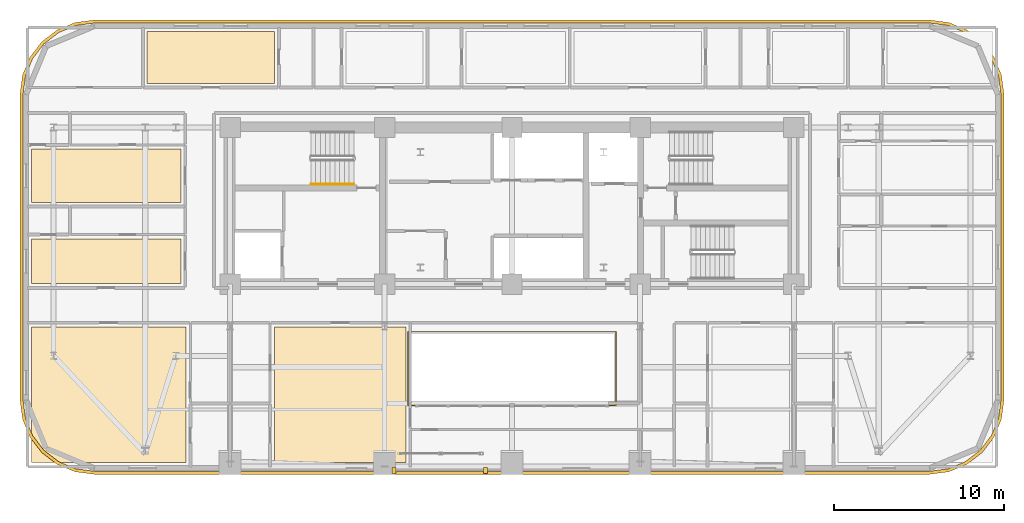
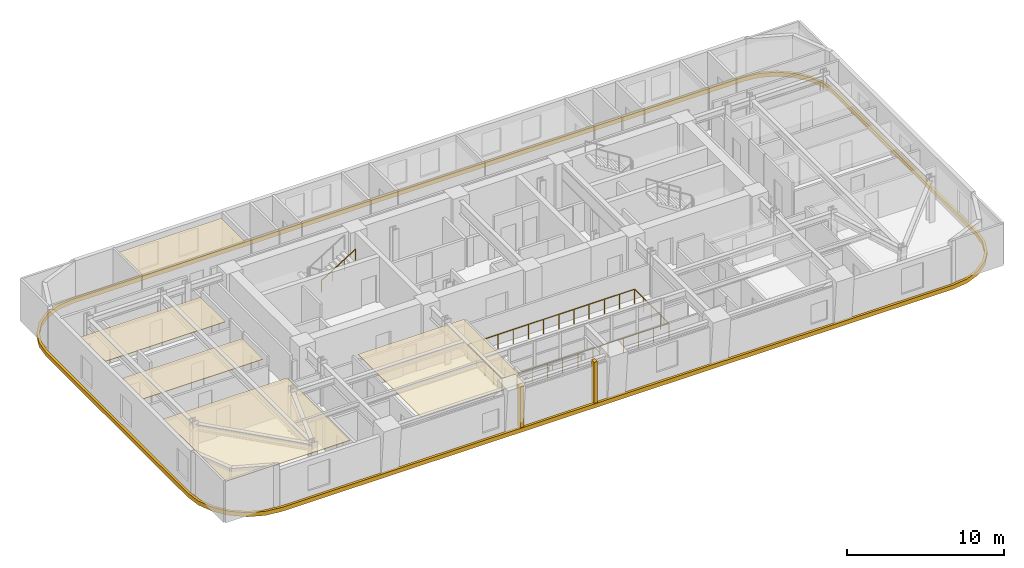
# One storey, part 14 of 16: 8 coverings, 2 railings.
"""IFC4 building model written with IfcOpenShell, lengths in metres."""

from ifc_helpers import new_model, si_unit, direction, frame, origin, origin_2d, place, context, subcontext, project, spatial, polyline, rectangle, outline, extrude, material, layer, layer_set, type_object, element, save


model = new_model("IFC4")

# Units and contexts
model_context = context("Model", 3, precision=1e-05, world=origin(), true_north=direction((0.0, 1.0)))
body_context = subcontext(model_context, "Body", "Model", "MODEL_VIEW")
ifc_project = project(units=[si_unit("LENGTHUNIT", "METRE"), si_unit("AREAUNIT", "SQUARE_METRE"), si_unit("VOLUMEUNIT", "CUBIC_METRE"), si_unit("PLANEANGLEUNIT", "RADIAN"), si_unit("MASSUNIT", "GRAM", prefix="KILO")], contexts=[model_context])

# Site, building, storey
site_placement = place(None, origin())
site = spatial("IfcSite", under=ifc_project, at=site_placement, CompositionType="ELEMENT")
building_placement = place(site_placement, origin())
building = spatial("IfcBuilding", under=site, at=building_placement, Name="Zarnavel Station Tower", CompositionType="ELEMENT")
storey_placement = place(building_placement, frame((0.0, 0.0, 97.800048828125)))
storey = spatial("IfcBuildingStorey", under=building, at=storey_placement, Name="L26", CompositionType="ELEMENT", Elevation=97.800048828125)

# Coverings
ifc_material_1 = material(Name="Perforated Gypsum and Mineral-Wool Acoustic Ceiling", Category="concrete")
ifc_layer = layer(ifc_material_1, 0.0400390625)
ifc_layer_set = layer_set([ifc_layer], Name="COV_CEIL_ACOUSTIC")
covering_type_1 = type_object("IfcCoveringType", Name="COV_CEIL_ACOUSTIC", PredefinedType="CEILING", material=ifc_layer_set)
covering_1_placement = place(storey_placement, frame((0.0, 0.0, 2.919921875)))
element("IfcCovering", 1, at=covering_1_placement, inside=storey, type_object=covering_type_1, Name="L26 FNW1R Acoustic Ceiling", PredefinedType="CEILING", context=body_context, shape_type="SweptSolid", body=[
    extrude(outline(polyline([(0.510009765625, 27.85009765625), (9.300048828125, 27.85009765625), (9.300048828125, 30.490966796875), (0.510009765625, 30.490966796875), (0.510009765625, 27.85009765625)])), origin(), (0.0, 0.0, 1.0), 0.0400390625),
])
covering_2_placement = place(storey_placement, frame((0.0, 0.0, 2.919921875)))
element("IfcCovering", 2, at=covering_2_placement, inside=storey, type_object=covering_type_1, Name="L26 FNW2R Acoustic Ceiling", PredefinedType="CEILING", context=body_context, shape_type="SweptSolid", body=[
    extrude(outline(polyline([(0.510009765625, 32.64111328125), (9.300048828125, 32.64111328125), (9.300048828125, 35.777099609375), (0.510009765625, 35.777099609375), (0.510009765625, 32.64111328125)])), origin(), (0.0, 0.0, 1.0), 0.0400390625),
])
covering_3_placement = place(storey_placement, frame((0.0, 0.0, 2.919921875)))
element("IfcCovering", 3, at=covering_3_placement, inside=storey, type_object=covering_type_1, Name="L26 HN1R Acoustic Ceiling", PredefinedType="CEILING", context=body_context, shape_type="SweptSolid", body=[
    extrude(outline(polyline([(7.31005859375, 39.64990234375), (14.81591796875, 39.64990234375), (14.81591796875, 42.68994140625), (7.31005859375, 42.68994140625), (7.31005859375, 39.64990234375)])), origin(), (0.0, 0.0, 1.0), 0.0400390625),
])
covering_4_placement = place(storey_placement, frame((0.0, 0.0, 2.919921875)))
element("IfcCovering", 4, at=covering_4_placement, inside=storey, type_object=covering_type_1, Name="L26 HW1R Acoustic Ceiling", PredefinedType="CEILING", context=body_context, shape_type="SweptSolid", body=[
    extrude(outline(polyline([(0.510009765625, 17.31005859375), (9.60009765625, 17.31005859375), (9.60009765625, 25.300048828125), (0.510009765625, 25.300048828125), (0.510009765625, 17.31005859375)])), origin(), (0.0, 0.0, 1.0), 0.0400390625),
])
covering_5_placement = place(storey_placement, frame((0.0, 0.0, 2.919921875)))
element("IfcCovering", 5, at=covering_5_placement, inside=storey, type_object=covering_type_1, Name="L26 HW2R Acoustic Ceiling", PredefinedType="CEILING", context=body_context, shape_type="SweptSolid", body=[
    extrude(outline(polyline([(14.800048828125, 17.31005859375), (22.550048828125, 17.31005859375), (22.550048828125, 25.300048828125), (14.800048828125, 25.300048828125), (14.800048828125, 17.31005859375)])), origin(), (0.0, 0.0, 1.0), 0.0400390625),
])
ifc_material_2 = material(Name="Precast concrete C45/55 (Pale Travertine Slab Band)", Category="masonry")
covering_type_2 = type_object("IfcCoveringType", Name="COV_TRAVERTINE_BAND", PredefinedType="CLADDING", material=ifc_material_2)
covering_6_placement = place(storey_placement, frame((0.0, 0.0, -0.260009765625)))
element("IfcCovering", 6, at=covering_6_placement, inside=storey, type_object=covering_type_2, Name="L26 Pale Travertine Slab-Edge Band", PredefinedType="CLADDING", context=body_context, shape_type="SweptSolid", body=[
    extrude(outline(polyline([(53.39990234375, 16.6201171875), (54.53369140625, 16.769287109375), (55.590087890625, 17.206787109375), (56.4970703125, 17.90283203125), (57.193115234375, 18.81005859375), (57.630859375, 19.866455078125), (57.780029296875, 21.0), (57.780029296875, 39.0), (57.630859375, 40.133544921875), (57.193115234375, 41.18994140625), (56.4970703125, 42.09716796875), (55.590087890625, 42.793212890625), (54.53369140625, 43.230712890625), (53.39990234375, 43.3798828125), (4.199951171875, 43.3798828125), (3.06640625, 43.230712890625), (2.010009765625, 42.793212890625), (1.102783203125, 42.09716796875), (0.40673828125, 41.18994140625), (-0.03076171875, 40.133544921875), (-0.179931640625, 39.0), (-0.179931640625, 21.0), (-0.03076171875, 19.866455078125), (0.40673828125, 18.81005859375), (1.102783203125, 17.90283203125), (2.010009765625, 17.206787109375), (3.06640625, 16.769287109375), (4.199951171875, 16.6201171875), (53.39990234375, 16.6201171875)]), holes=[polyline([(53.39990234375, 16.800048828125), (54.487060546875, 16.943115234375), (55.5, 17.36279296875), (56.369873046875, 18.0302734375), (57.037353515625, 18.89990234375), (57.456787109375, 19.9130859375), (57.60009765625, 21.0), (57.60009765625, 39.0), (57.456787109375, 40.0869140625), (57.037353515625, 41.10009765625), (56.369873046875, 41.9697265625), (55.5, 42.63720703125), (54.487060546875, 43.056884765625), (53.39990234375, 43.199951171875), (4.199951171875, 43.199951171875), (3.113037109375, 43.056884765625), (2.10009765625, 42.63720703125), (1.230224609375, 41.9697265625), (0.562744140625, 41.10009765625), (0.14306640625, 40.0869140625), (0.0, 39.0), (0.0, 21.0), (0.14306640625, 19.9130859375), (0.562744140625, 18.89990234375), (1.230224609375, 18.0302734375), (2.10009765625, 17.36279296875), (3.113037109375, 16.943115234375), (4.199951171875, 16.800048828125), (53.39990234375, 16.800048828125)])]), origin(), (0.0, 0.0, 1.0), 0.320068359375),
])
for number, where, z_axis, x_axis, name in (
    (7, (21.85009765625, 16.85009765625, 0.0), (0.0, 0.0, 1.0), (1.0, 0.0, 0.0), "L26 Travertine Portal Loggia Vertical Jog West"),
    (8, (27.25, 16.85009765625, 0.0), (0.0, 0.0, 1.0), (1.0, 0.0, 0.0), "L26 Travertine Portal Loggia Vertical Jog East"),
):
    element("IfcCovering", number, at=place(storey_placement, frame(where, z_axis=z_axis, x_axis=x_axis)), inside=storey, type_object=covering_type_2, Name=name, PredefinedType="CLADDING", context=body_context, shape_type="SweptSolid", body=[
        extrude(rectangle(XDim=0.239990234375, YDim=0.360107421875, at=origin_2d()), origin(), (0.0, 0.0, 1.0), 3.239990234375),
    ])

# Railings
ifc_material_3 = material(Name="Painted Steel S355J2 Balustrade", Category="steel")
railing_type_1 = type_object("IfcRailingType", Name="GR_INT_1150", PredefinedType="GUARDRAIL", material=ifc_material_3)
railing_1_placement = place(storey_placement, frame((22.679931640625, 20.679931640625, 0.0)))
element("IfcRailing", 9, at=railing_1_placement, inside=storey, type_object=railing_type_1, Name="L26 Atrium Void Guardrail", PredefinedType="GUARDRAIL", context=body_context, shape_type="SweptSolid", body=[
    extrude(rectangle(XDim=0.048095703125, YDim=0.048095703125, at=origin_2d()), frame((0.001953125, 0.0, 1.1259765625), z_axis=(1.0, 0.0, 0.0), x_axis=(0.0, 1.0, 0.0)), (0.0, 0.0, 1.0), 12.236083984375),
    extrude(rectangle(XDim=0.048095703125, YDim=0.048095703125, at=origin_2d()), frame((12.239990234375, 0.001953125, 1.1259765625), z_axis=(0.0, 1.0, 0.0), x_axis=(-1.0, 0.0, 0.0)), (0.0, 0.0, 1.0), 4.336181640625),
    extrude(rectangle(XDim=0.048095703125, YDim=0.048095703125, at=origin_2d()), frame((12.238037109375, 4.340087890625, 1.1259765625), z_axis=(-1.0, 0.0, 0.0), x_axis=(0.0, -1.0, 0.0)), (0.0, 0.0, 1.0), 12.236083984375),
    extrude(rectangle(XDim=0.048095703125, YDim=0.048095703125, at=origin_2d()), frame((0.0, 4.338134765625, 1.1259765625), z_axis=(0.0, -1.0, 0.0), x_axis=(1.0, 0.0, 0.0)), (0.0, 0.0, 1.0), 4.336181640625),
    extrude(rectangle(XDim=0.0419921875, YDim=0.0419921875, at=origin_2d()), origin(), (0.0, 0.0, 1.0), 1.101806640625),
    extrude(rectangle(XDim=0.0419921875, YDim=0.0419921875, at=origin_2d()), frame((1.11279296875, 0.0, 0.0)), (0.0, 0.0, 1.0), 1.101806640625),
    extrude(rectangle(XDim=0.0419921875, YDim=0.0419921875, at=origin_2d()), frame((2.225341796875, 0.0, 0.0)), (0.0, 0.0, 1.0), 1.101806640625),
    extrude(rectangle(XDim=0.0419921875, YDim=0.0419921875, at=origin_2d()), frame((3.338134765625, 0.0, 0.0)), (0.0, 0.0, 1.0), 1.101806640625),
    extrude(rectangle(XDim=0.0419921875, YDim=0.0419921875, at=origin_2d()), frame((4.450927734375, 0.0, 0.0)), (0.0, 0.0, 1.0), 1.101806640625),
    extrude(rectangle(XDim=0.0419921875, YDim=0.0419921875, at=origin_2d()), frame((5.563720703125, 0.0, 0.0)), (0.0, 0.0, 1.0), 1.101806640625),
    extrude(rectangle(XDim=0.0419921875, YDim=0.0419921875, at=origin_2d()), frame((6.67626953125, 0.0, 0.0)), (0.0, 0.0, 1.0), 1.101806640625),
    extrude(rectangle(XDim=0.0419921875, YDim=0.0419921875, at=origin_2d()), frame((7.7890625, 0.0, 0.0)), (0.0, 0.0, 1.0), 1.101806640625),
    extrude(rectangle(XDim=0.0419921875, YDim=0.0419921875, at=origin_2d()), frame((8.90185546875, 0.0, 0.0)), (0.0, 0.0, 1.0), 1.101806640625),
    extrude(rectangle(XDim=0.0419921875, YDim=0.0419921875, at=origin_2d()), frame((10.0146484375, 0.0, 0.0)), (0.0, 0.0, 1.0), 1.101806640625),
    extrude(rectangle(XDim=0.0419921875, YDim=0.0419921875, at=origin_2d()), frame((11.127197265625, 0.0, 0.0)), (0.0, 0.0, 1.0), 1.101806640625),
    extrude(rectangle(XDim=0.0419921875, YDim=0.0419921875, at=origin_2d()), frame((12.239990234375, 0.0, 0.0)), (0.0, 0.0, 1.0), 1.101806640625),
    extrude(rectangle(XDim=0.0419921875, YDim=0.0419921875, at=origin_2d()), frame((12.239990234375, 1.0849609375, 0.0)), (0.0, 0.0, 1.0), 1.101806640625),
    extrude(rectangle(XDim=0.0419921875, YDim=0.0419921875, at=origin_2d()), frame((12.239990234375, 2.169921875, 0.0)), (0.0, 0.0, 1.0), 1.101806640625),
    extrude(rectangle(XDim=0.0419921875, YDim=0.0419921875, at=origin_2d()), frame((12.239990234375, 3.255126953125, 0.0)), (0.0, 0.0, 1.0), 1.101806640625),
    extrude(rectangle(XDim=0.0419921875, YDim=0.0419921875, at=origin_2d()), frame((12.239990234375, 4.340087890625, 0.0)), (0.0, 0.0, 1.0), 1.101806640625),
    extrude(rectangle(XDim=0.0419921875, YDim=0.0419921875, at=origin_2d()), frame((11.127197265625, 4.340087890625, 0.0)), (0.0, 0.0, 1.0), 1.101806640625),
    extrude(rectangle(XDim=0.0419921875, YDim=0.0419921875, at=origin_2d()), frame((10.0146484375, 4.340087890625, 0.0)), (0.0, 0.0, 1.0), 1.101806640625),
    extrude(rectangle(XDim=0.0419921875, YDim=0.0419921875, at=origin_2d()), frame((8.90185546875, 4.340087890625, 0.0)), (0.0, 0.0, 1.0), 1.101806640625),
    extrude(rectangle(XDim=0.0419921875, YDim=0.0419921875, at=origin_2d()), frame((7.7890625, 4.340087890625, 0.0)), (0.0, 0.0, 1.0), 1.101806640625),
    extrude(rectangle(XDim=0.0419921875, YDim=0.0419921875, at=origin_2d()), frame((6.67626953125, 4.340087890625, 0.0)), (0.0, 0.0, 1.0), 1.101806640625),
    extrude(rectangle(XDim=0.0419921875, YDim=0.0419921875, at=origin_2d()), frame((5.563720703125, 4.340087890625, 0.0)), (0.0, 0.0, 1.0), 1.101806640625),
    extrude(rectangle(XDim=0.0419921875, YDim=0.0419921875, at=origin_2d()), frame((4.450927734375, 4.340087890625, 0.0)), (0.0, 0.0, 1.0), 1.101806640625),
    extrude(rectangle(XDim=0.0419921875, YDim=0.0419921875, at=origin_2d()), frame((3.338134765625, 4.340087890625, 0.0)), (0.0, 0.0, 1.0), 1.101806640625),
    extrude(rectangle(XDim=0.0419921875, YDim=0.0419921875, at=origin_2d()), frame((2.225341796875, 4.340087890625, 0.0)), (0.0, 0.0, 1.0), 1.101806640625),
    extrude(rectangle(XDim=0.0419921875, YDim=0.0419921875, at=origin_2d()), frame((1.11279296875, 4.340087890625, 0.0)), (0.0, 0.0, 1.0), 1.101806640625),
    extrude(rectangle(XDim=0.0419921875, YDim=0.0419921875, at=origin_2d()), frame((0.0, 4.340087890625, 0.0)), (0.0, 0.0, 1.0), 1.101806640625),
    extrude(rectangle(XDim=0.0419921875, YDim=0.0419921875, at=origin_2d()), frame((0.0, 3.255126953125, 0.0)), (0.0, 0.0, 1.0), 1.101806640625),
    extrude(rectangle(XDim=0.0419921875, YDim=0.0419921875, at=origin_2d()), frame((0.0, 2.169921875, 0.0)), (0.0, 0.0, 1.0), 1.101806640625),
    extrude(rectangle(XDim=0.0419921875, YDim=0.0419921875, at=origin_2d()), frame((0.0, 1.0849609375, 0.0)), (0.0, 0.0, 1.0), 1.101806640625),
])
ifc_material_4 = material(Name="Brushed Stainless Steel S355J2 Handrail", Category="steel")
railing_type_2 = type_object("IfcRailingType", Name="HR_STAIR_900", PredefinedType="HANDRAIL", material=ifc_material_4)
railing_2_placement = place(storey_placement, frame((16.9599609375, 33.7099609375, 1.925048828125)))
element("IfcRailing", 10, at=railing_2_placement, inside=storey, type_object=railing_type_2, Name="L26 ST1 stair handrail 2", PredefinedType="HANDRAIL", context=body_context, shape_type="SweptSolid", body=[
    extrude(rectangle(XDim=0.048095703125, YDim=0.048095703125, at=origin_2d()), frame((0.001708984375, 0.0, 0.876953125), z_axis=(0.848007534815, 0.0, 0.529984170421), x_axis=(0.0, 1.0, 0.0)), (0.0, 0.0, 1.0), 2.9677734375),
    extrude(rectangle(XDim=0.0419921875, YDim=0.0419921875, at=origin_2d()), origin(), (0.0, 0.0, 1.0), 0.851806640625),
    extrude(rectangle(XDim=0.0419921875, YDim=0.0419921875, at=origin_2d()), frame((0.840087890625, 0.0, 0.52490234375)), (0.0, 0.0, 1.0), 0.851806640625),
    extrude(rectangle(XDim=0.0419921875, YDim=0.0419921875, at=origin_2d()), frame((1.679931640625, 0.0, 1.050048828125)), (0.0, 0.0, 1.0), 0.851806640625),
    extrude(rectangle(XDim=0.0419921875, YDim=0.0419921875, at=origin_2d()), frame((2.52001953125, 0.0, 1.574951171875)), (0.0, 0.0, 1.0), 0.851806640625),
])

save(model, "model.ifc")
